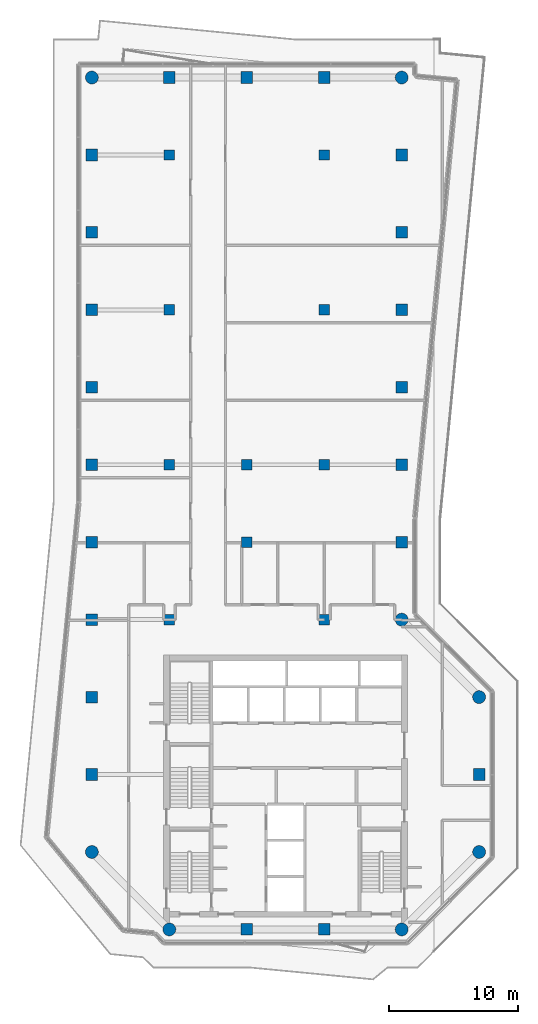
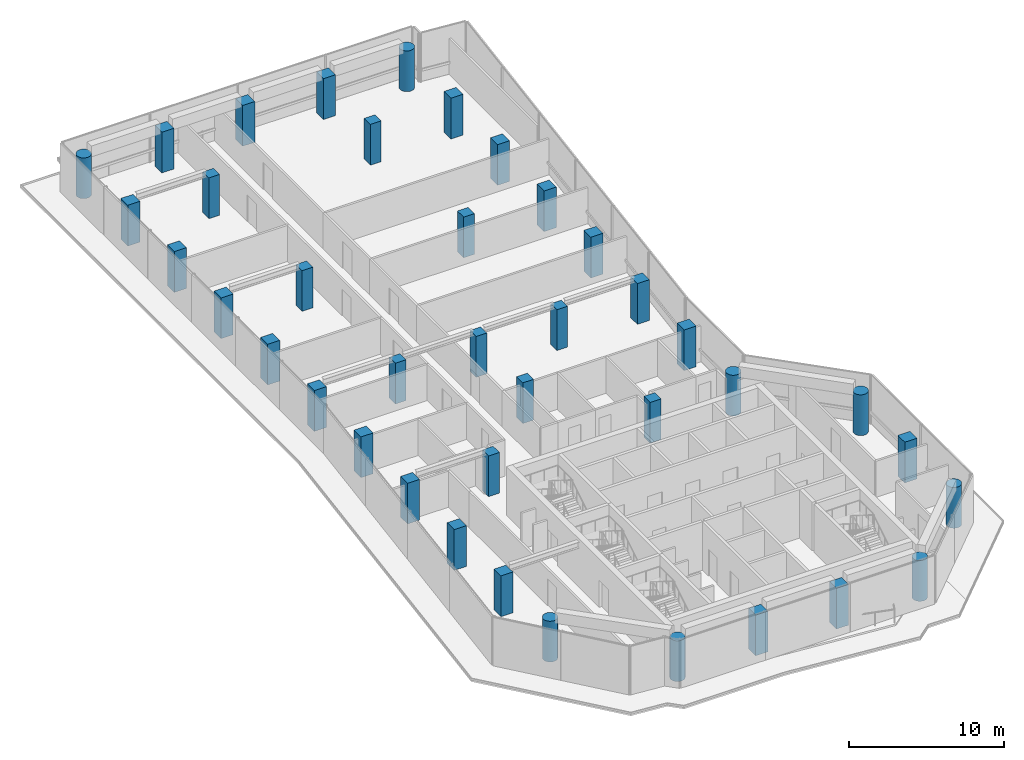
# One storey, part 1 of 13: 39 columns.
"""IFC4 building model written with IfcOpenShell, lengths in metres."""

from ifc_helpers import new_model, si_unit, direction, frame, origin, origin_2d, place, context, subcontext, project, spatial, rectangle, circle, extrude, material, material_profile, profile_set, type_object, element, save


model = new_model("IFC4")

# Units and contexts
model_context = context("Model", 3, precision=1e-05, world=origin(), true_north=direction((0.0, 1.0)))
body_context = subcontext(model_context, "Body", "Model", "MODEL_VIEW")
ifc_project = project(units=[si_unit("LENGTHUNIT", "METRE"), si_unit("AREAUNIT", "SQUARE_METRE"), si_unit("VOLUMEUNIT", "CUBIC_METRE"), si_unit("PLANEANGLEUNIT", "RADIAN"), si_unit("MASSUNIT", "GRAM", prefix="KILO")], contexts=[model_context])

# Site, building, storey
site_placement = place(None, origin())
site = spatial("IfcSite", under=ifc_project, at=site_placement, CompositionType="ELEMENT")
building_placement = place(site_placement, origin())
building = spatial("IfcBuilding", under=site, at=building_placement, Name="Welwitschia Terrace Campus", CompositionType="ELEMENT")
storey_placement = place(building_placement, frame((0.0, 0.0, 251.60009765625)))
storey = spatial("IfcBuildingStorey", under=building, at=storey_placement, Name="L56", CompositionType="ELEMENT", Elevation=251.60009765625)

# Columns
ifc_material_1 = material(Name="Concrete C50/60", Category="concrete")
ifc_material_profile_1 = material_profile(ifc_material_1, circle(Radius=0.5, at=origin_2d()))
ifc_profile_set_1 = profile_set([ifc_material_profile_1], Name="Concrete C50/60")
column_type_1 = type_object("IfcColumnType", Name="Corner column 1000 dia under truss", PredefinedType="COLUMN", material=ifc_profile_set_1)
for number, where, z_axis, x_axis, name in (
    (1, (0.0, 10.0, 0.0), (0.0, 0.0, 1.0), (1.0, 0.0, 0.0), "Column C35"),
    (2, (0.0, 70.0, 0.0), (0.0, 0.0, 1.0), (1.0, 0.0, 0.0), "Column C35"),
    (3, (6.0, 4.0, 0.0), (0.0, 0.0, 1.0), (1.0, 0.0, 0.0), "Column C35"),
    (4, (24.0, 4.0, 0.0), (0.0, 0.0, 1.0), (1.0, 0.0, 0.0), "Column C35"),
    (5, (24.0, 28.0, 0.0), (0.0, 0.0, 1.0), (1.0, 0.0, 0.0), "Column C35"),
    (6, (24.0, 70.0, 0.0), (0.0, 0.0, 1.0), (1.0, 0.0, 0.0), "Column C35"),
    (7, (30.0, 10.0, 0.0), (0.0, 0.0, 1.0), (1.0, 0.0, 0.0), "Column C35"),
    (8, (30.0, 22.0, 0.0), (0.0, 0.0, 1.0), (1.0, 0.0, 0.0), "Column C35"),
):
    element("IfcColumn", number, at=place(storey_placement, frame(where, z_axis=z_axis, x_axis=x_axis)), inside=storey, type_object=column_type_1, Name=name, PredefinedType="COLUMN", context=body_context, shape_type="SweptSolid", body=[
        extrude(circle(Radius=0.5, at=origin_2d()), origin(), (0.0, 0.0, 1.0), 3.199951171875),
    ])
ifc_material_2 = material(Name="Concrete C50/60", Category="concrete")
ifc_material_profile_2 = material_profile(ifc_material_2, rectangle(XDim=0.800048828125, YDim=0.800048828125, at=origin_2d()))
ifc_profile_set_2 = profile_set([ifc_material_profile_2], Name="Concrete C50/60")
column_type_2 = type_object("IfcColumnType", Name="Interior column 800x800 under truss", PredefinedType="COLUMN", material=ifc_profile_set_2)
for number, where, z_axis, x_axis, name in (
    (9, (6.0, 28.0, 0.0), (0.0, 0.0, 1.0), (1.0, 0.0, 0.0), "Column C37"),
    (10, (6.0, 40.0, 0.0), (0.0, 0.0, 1.0), (1.0, 0.0, 0.0), "Column C37"),
    (11, (6.0, 52.0, 0.0), (0.0, 0.0, 1.0), (1.0, 0.0, 0.0), "Column C37"),
    (12, (6.0, 64.0, 0.0), (0.0, 0.0, 1.0), (1.0, 0.0, 0.0), "Column C37"),
    (13, (12.0, 34.0, 0.0), (0.0, 0.0, 1.0), (1.0, 0.0, 0.0), "Column C37"),
    (14, (12.0, 40.0, 0.0), (0.0, 0.0, 1.0), (1.0, 0.0, 0.0), "Column C37"),
    (15, (18.0, 28.0, 0.0), (0.0, 0.0, 1.0), (1.0, 0.0, 0.0), "Column C37"),
    (16, (18.0, 40.0, 0.0), (0.0, 0.0, 1.0), (1.0, 0.0, 0.0), "Column C37"),
    (17, (18.0, 52.0, 0.0), (0.0, 0.0, 1.0), (1.0, 0.0, 0.0), "Column C37"),
    (18, (18.0, 64.0, 0.0), (0.0, 0.0, 1.0), (1.0, 0.0, 0.0), "Column C37"),
):
    element("IfcColumn", number, at=place(storey_placement, frame(where, z_axis=z_axis, x_axis=x_axis)), inside=storey, type_object=column_type_2, Name=name, PredefinedType="COLUMN", context=body_context, shape_type="SweptSolid", body=[
        extrude(rectangle(XDim=0.800048828125, YDim=0.800048828125, at=origin_2d()), origin(), (0.0, 0.0, 1.0), 3.199951171875),
    ])
ifc_material_3 = material(Name="Concrete C50/60", Category="concrete")
ifc_material_profile_3 = material_profile(ifc_material_3, rectangle(XDim=0.89990234375, YDim=0.89990234375, at=origin_2d()))
ifc_profile_set_3 = profile_set([ifc_material_profile_3], Name="Concrete C50/60")
column_type_3 = type_object("IfcColumnType", Name="Ring column 900x900 under truss", PredefinedType="COLUMN", material=ifc_profile_set_3)
for number, where, z_axis, x_axis, name in (
    (19, (0.0, 16.0, 0.0), (0.0, 0.0, 1.0), (1.0, 0.0, 0.0), "Column C36"),
    (20, (0.0, 22.0, 0.0), (0.0, 0.0, 1.0), (1.0, 0.0, 0.0), "Column C36"),
    (21, (0.0, 28.0, 0.0), (0.0, 0.0, 1.0), (1.0, 0.0, 0.0), "Column C36"),
    (22, (0.0, 34.0, 0.0), (0.0, 0.0, 1.0), (1.0, 0.0, 0.0), "Column C36"),
    (23, (0.0, 40.0, 0.0), (0.0, 0.0, 1.0), (1.0, 0.0, 0.0), "Column C36"),
    (24, (0.0, 46.0, 0.0), (0.0, 0.0, 1.0), (1.0, 0.0, 0.0), "Column C36"),
    (25, (0.0, 52.0, 0.0), (0.0, 0.0, 1.0), (1.0, 0.0, 0.0), "Column C36"),
    (26, (0.0, 58.0, 0.0), (0.0, 0.0, 1.0), (1.0, 0.0, 0.0), "Column C36"),
    (27, (0.0, 64.0, 0.0), (0.0, 0.0, 1.0), (1.0, 0.0, 0.0), "Column C36"),
    (28, (6.0, 70.0, 0.0), (0.0, 0.0, 1.0), (1.0, 0.0, 0.0), "Column C36"),
    (29, (12.0, 4.0, 0.0), (0.0, 0.0, 1.0), (1.0, 0.0, 0.0), "Column C36"),
    (30, (12.0, 70.0, 0.0), (0.0, 0.0, 1.0), (1.0, 0.0, 0.0), "Column C36"),
    (31, (18.0, 4.0, 0.0), (0.0, 0.0, 1.0), (1.0, 0.0, 0.0), "Column C36"),
    (32, (18.0, 70.0, 0.0), (0.0, 0.0, 1.0), (1.0, 0.0, 0.0), "Column C36"),
    (33, (24.0, 34.0, 0.0), (0.0, 0.0, 1.0), (1.0, 0.0, 0.0), "Column C36"),
    (34, (24.0, 40.0, 0.0), (0.0, 0.0, 1.0), (1.0, 0.0, 0.0), "Column C36"),
    (35, (24.0, 46.0, 0.0), (0.0, 0.0, 1.0), (1.0, 0.0, 0.0), "Column C36"),
    (36, (24.0, 52.0, 0.0), (0.0, 0.0, 1.0), (1.0, 0.0, 0.0), "Column C36"),
    (37, (24.0, 58.0, 0.0), (0.0, 0.0, 1.0), (1.0, 0.0, 0.0), "Column C36"),
    (38, (24.0, 64.0, 0.0), (0.0, 0.0, 1.0), (1.0, 0.0, 0.0), "Column C36"),
    (39, (30.0, 16.0, 0.0), (0.0, 0.0, 1.0), (1.0, 0.0, 0.0), "Column C36"),
):
    element("IfcColumn", number, at=place(storey_placement, frame(where, z_axis=z_axis, x_axis=x_axis)), inside=storey, type_object=column_type_3, Name=name, PredefinedType="COLUMN", context=body_context, shape_type="SweptSolid", body=[
        extrude(rectangle(XDim=0.89990234375, YDim=0.89990234375, at=origin_2d()), origin(), (0.0, 0.0, 1.0), 3.199951171875),
    ])

save(model, "model.ifc")
